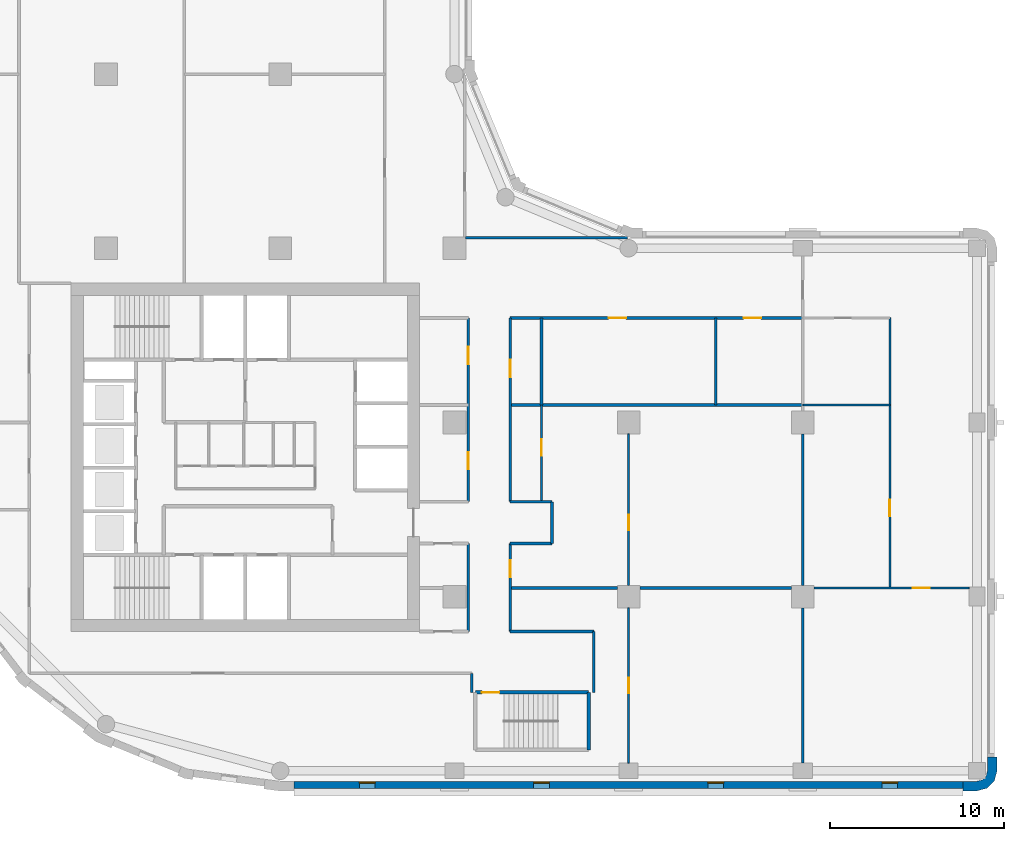
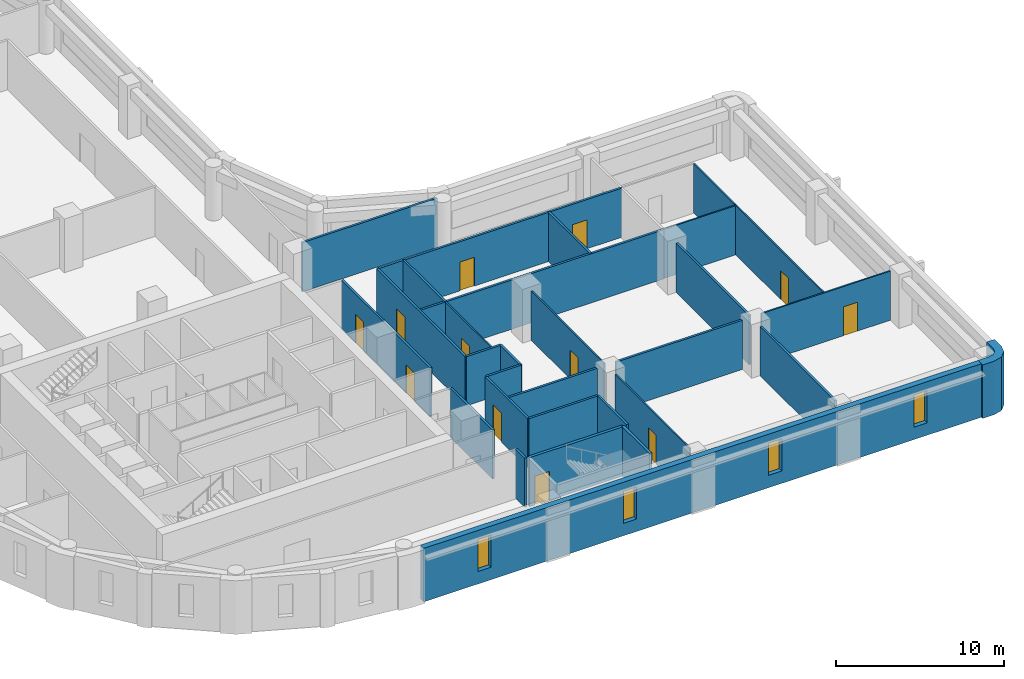
# One storey, part 4 of 10: 29 walls, 12 doors, 4 windows, 16 openings.
"""IFC4 building model written with IfcOpenShell, lengths in metres."""

from ifc_helpers import new_model, si_unit, direction, frame, frame_2d, origin, place, context, subcontext, project, spatial, polyline, rectangle, outline, extrude, material, layer, layer_set, type_object, element, fill, save


model = new_model("IFC4")

# Units and contexts
model_context = context("Model", 3, precision=1e-05, world=origin(), true_north=direction((0.0, 1.0)))
body_context = subcontext(model_context, "Body", "Model", "MODEL_VIEW")
ifc_project = project(units=[si_unit("LENGTHUNIT", "METRE"), si_unit("AREAUNIT", "SQUARE_METRE"), si_unit("VOLUMEUNIT", "CUBIC_METRE"), si_unit("PLANEANGLEUNIT", "RADIAN"), si_unit("MASSUNIT", "GRAM", prefix="KILO")], contexts=[model_context])

# Site, building, storey
site_placement = place(None, origin())
site = spatial("IfcSite", under=ifc_project, at=site_placement, CompositionType="ELEMENT")
building_placement = place(site_placement, origin())
building = spatial("IfcBuilding", under=site, at=building_placement, Name="Qaws Garden Tower", CompositionType="ELEMENT")
storey_placement = place(building_placement, frame((0.0, 0.0, 178.5)))
storey = spatial("IfcBuildingStorey", under=building, at=storey_placement, Name="L43", CompositionType="ELEMENT", Elevation=178.5)

# Wall
ifc_material_1 = material(Name="Clay facing brick masonry", Category="masonry")
ifc_layer_1 = layer(ifc_material_1, 0.550048828125)
ifc_layer_set_1 = layer_set([ifc_layer_1], Name="Clay facing brick masonry")
wall_type_1 = type_object("IfcWallType", Name="Brick corner pier 550 x 2400", PredefinedType="SOLIDWALL", material=ifc_layer_set_1)
wall_1_placement = place(storey_placement, origin())
element("IfcWall", 1, at=wall_1_placement, inside=storey, type_object=wall_type_1, Name="E-L43-pier-04", PredefinedType="SOLIDWALL", context=body_context, shape_type="SweptSolid", body=[
    extrude(outline(polyline([(59.199951171875, -1.0), (59.199951171875, -1.14990234375), (60.0, -1.14990234375), (60.574951171875, -0.995849609375), (60.995849609375, -0.574951171875), (61.14990234375, 0.0), (61.14990234375, 0.800048828125), (61.0, 0.800048828125), (60.60009765625, 0.800048828125), (60.60009765625, 0.0), (60.51953125, -0.300048828125), (60.300048828125, -0.51953125), (60.0, -0.60009765625), (59.199951171875, -0.60009765625), (59.199951171875, -1.0)])), origin(), (0.0, 0.0, 1.0), 3.89990234375),
])

# Wall, openings, windows
ifc_material_2 = material(Name="Clay facing brick masonry", Category="masonry")
ifc_layer_2 = layer(ifc_material_2, 0.39990234375)
ifc_layer_set_2 = layer_set([ifc_layer_2], Name="Clay facing brick masonry")
wall_type_2 = type_object("IfcWallType", Name="Brick infill wall 400", PredefinedType="SOLIDWALL", material=ifc_layer_set_2)
wall_2_placement = place(storey_placement, frame((20.800048828125, -0.800048828125, 0.0), z_axis=(0.0, 0.0, 1.0), x_axis=(1.0, 0.0, 0.0)))
wall_2 = element("IfcWall", 2, at=wall_2_placement, inside=storey, type_object=wall_type_2, Name="E-L43-infill-00", PredefinedType="SOLIDWALL", context=body_context, shape_type="SweptSolid", body=[
    extrude(rectangle(XDim=38.39990234375, YDim=0.39990234375, at=frame_2d((19.199951171875, 0.0))), origin(), (0.0, 0.0, 1.0), 3.89990234375),
])
opening_1_placement = place(wall_2_placement, frame((3.75, 0.0, 0.89990234375)))
opening_1 = element("IfcOpeningElement", 3, at=opening_1_placement, cuts=wall_2, Name="Opening W09", PredefinedType="OPENING", context=body_context, shape_type="SweptSolid", body=[
    extrude(rectangle(XDim=0.89990234375, YDim=2.35009765625, at=frame_2d((0.449951171875, 1.175048828125))), frame((0.0, 0.2099609375, 0.0), z_axis=(0.0, -1.0, 0.0), x_axis=(1.0, 0.0, 0.0)), (0.0, 0.0, 1.0), 0.419921875),
])
opening_2_placement = place(wall_2_placement, frame((13.75, 0.0, 0.89990234375)))
opening_2 = element("IfcOpeningElement", 4, at=opening_2_placement, cuts=wall_2, Name="Opening W09", PredefinedType="OPENING", context=body_context, shape_type="SweptSolid", body=[
    extrude(rectangle(XDim=0.89990234375, YDim=2.35009765625, at=frame_2d((0.449951171875, 1.175048828125))), frame((0.0, 0.2099609375, 0.0), z_axis=(0.0, -1.0, 0.0), x_axis=(1.0, 0.0, 0.0)), (0.0, 0.0, 1.0), 0.419921875),
])
opening_3_placement = place(wall_2_placement, frame((23.75, 0.0, 0.89990234375)))
opening_3 = element("IfcOpeningElement", 5, at=opening_3_placement, cuts=wall_2, Name="Opening W09", PredefinedType="OPENING", context=body_context, shape_type="SweptSolid", body=[
    extrude(rectangle(XDim=0.89990234375, YDim=2.35009765625, at=frame_2d((0.449951171875, 1.175048828125))), frame((0.0, 0.2099609375, 0.0), z_axis=(0.0, -1.0, 0.0), x_axis=(1.0, 0.0, 0.0)), (0.0, 0.0, 1.0), 0.419921875),
])
opening_4_placement = place(wall_2_placement, frame((33.75, 0.0, 0.89990234375)))
opening_4 = element("IfcOpeningElement", 6, at=opening_4_placement, cuts=wall_2, Name="Opening W09", PredefinedType="OPENING", context=body_context, shape_type="SweptSolid", body=[
    extrude(rectangle(XDim=0.89990234375, YDim=2.35009765625, at=frame_2d((0.449951171875, 1.175048828125))), frame((0.0, 0.2099609375, 0.0), z_axis=(0.0, -1.0, 0.0), x_axis=(1.0, 0.0, 0.0)), (0.0, 0.0, 1.0), 0.419921875),
])
ifc_material_3 = material(Name="Aluminium framed window, clear glazing", Category="aluminium")
window_type = type_object("IfcWindowType", Name="Slit window 900 x 2350", PartitioningType="SINGLE_PANEL", PredefinedType="WINDOW", material=ifc_material_3)
window_1_placement = place(opening_1_placement, origin())
window_1 = element("IfcWindow", 7, at=window_1_placement, inside=storey, type_object=window_type, Name="E-L43-window-00-0", OverallHeight=2.35009765625, OverallWidth=0.89990234375, PartitioningType="SINGLE_PANEL", PredefinedType="WINDOW", context=body_context, shape_type="SweptSolid", body=[
    extrude(rectangle(XDim=0.89990234375, YDim=2.35009765625, at=frame_2d((0.449951171875, 1.175048828125))), frame((0.0, 0.159912109375, 0.0), z_axis=(0.0, -1.0, 0.0), x_axis=(1.0, 0.0, 0.0)), (0.0, 0.0, 1.0), 0.06005859375),
])
fill(opening_1, window_1)
window_2_placement = place(opening_2_placement, origin())
window_2 = element("IfcWindow", 8, at=window_2_placement, inside=storey, type_object=window_type, Name="E-L43-window-01-0", OverallHeight=2.35009765625, OverallWidth=0.89990234375, PartitioningType="SINGLE_PANEL", PredefinedType="WINDOW", context=body_context, shape_type="SweptSolid", body=[
    extrude(rectangle(XDim=0.89990234375, YDim=2.35009765625, at=frame_2d((0.449951171875, 1.175048828125))), frame((0.0, 0.159912109375, 0.0), z_axis=(0.0, -1.0, 0.0), x_axis=(1.0, 0.0, 0.0)), (0.0, 0.0, 1.0), 0.06005859375),
])
fill(opening_2, window_2)
window_3_placement = place(opening_3_placement, origin())
window_3 = element("IfcWindow", 9, at=window_3_placement, inside=storey, type_object=window_type, Name="E-L43-window-02-0", OverallHeight=2.35009765625, OverallWidth=0.89990234375, PartitioningType="SINGLE_PANEL", PredefinedType="WINDOW", context=body_context, shape_type="SweptSolid", body=[
    extrude(rectangle(XDim=0.89990234375, YDim=2.35009765625, at=frame_2d((0.449951171875, 1.175048828125))), frame((0.0, 0.159912109375, 0.0), z_axis=(0.0, -1.0, 0.0), x_axis=(1.0, 0.0, 0.0)), (0.0, 0.0, 1.0), 0.06005859375),
])
fill(opening_3, window_3)
window_4_placement = place(opening_4_placement, origin())
window_4 = element("IfcWindow", 10, at=window_4_placement, inside=storey, type_object=window_type, Name="E-L43-window-03-0", OverallHeight=2.35009765625, OverallWidth=0.89990234375, PartitioningType="SINGLE_PANEL", PredefinedType="WINDOW", context=body_context, shape_type="SweptSolid", body=[
    extrude(rectangle(XDim=0.89990234375, YDim=2.35009765625, at=frame_2d((0.449951171875, 1.175048828125))), frame((0.0, 0.159912109375, 0.0), z_axis=(0.0, -1.0, 0.0), x_axis=(1.0, 0.0, 0.0)), (0.0, 0.0, 1.0), 0.06005859375),
])
fill(opening_4, window_4)

# Wall, opening, door
ifc_material_4 = material(Name="Concrete C70", Category="concrete")
ifc_layer_3 = layer(ifc_material_4, 0.199951171875)
ifc_layer_set_3 = layer_set([ifc_layer_3], Name="Concrete C70")
wall_type_3 = type_object("IfcWallType", Name="Core shaft wall 200 C70", PredefinedType="SHEAR", material=ifc_layer_set_3)
wall_3_placement = place(storey_placement, frame((31.199951171875, 4.5, 0.0), z_axis=(0.0, 0.0, 1.0), x_axis=(1.0, 0.0, 0.0)))
wall_3 = element("IfcWall", 11, at=wall_3_placement, inside=storey, type_object=wall_type_3, Name="Shaft wall", PredefinedType="SHEAR", context=body_context, shape_type="SweptSolid", body=[
    extrude(rectangle(XDim=6.5, YDim=0.199951171875, at=frame_2d((3.25, 0.0))), origin(), (0.0, 0.0, 1.0), 3.580078125),
])
opening_5_placement = place(wall_3_placement, frame((0.375, 0.0, 0.0)))
opening_5 = element("IfcOpeningElement", 12, at=opening_5_placement, cuts=wall_3, Name="Opening SD12", PredefinedType="OPENING", context=body_context, shape_type="SweptSolid", body=[
    extrude(rectangle(XDim=1.0, YDim=2.10009765625, at=frame_2d((0.5, 1.050048828125))), frame((0.0, 0.10986328125, 0.0), z_axis=(0.0, -1.0, 0.0), x_axis=(1.0, 0.0, 0.0)), (0.0, 0.0, 1.0), 0.219970703125),
])
ifc_material_5 = material(Name="Steel S235", Category="steel")
door_type_1 = type_object("IfcDoorType", Name="Stair door 1000x2100", OperationType="SINGLE_SWING_RIGHT", PredefinedType="DOOR", material=ifc_material_5)
door_1_placement = place(opening_5_placement, frame((1.0, 0.0, 0.0), z_axis=(0.0, 0.0, 1.0), x_axis=(-1.0, 0.0, 0.0)))
door_1 = element("IfcDoor", 13, at=door_1_placement, inside=storey, type_object=door_type_1, Name="Stair 5 door", OperationType="SINGLE_SWING_RIGHT", OverallHeight=2.10009765625, OverallWidth=1.0, PredefinedType="DOOR", context=body_context, shape_type="SweptSolid", body=[
    extrude(rectangle(XDim=1.0, YDim=2.10009765625, at=frame_2d((0.5, 1.050048828125))), frame((0.0, 0.02490234375, 0.0), z_axis=(0.0, -1.0, 0.0), x_axis=(1.0, 0.0, 0.0)), (0.0, 0.0, 1.0), 0.050048828125),
])
fill(opening_5, door_1)

# Wall
wall_4_placement = place(storey_placement, frame((37.699951171875, 1.199951171875, 0.0), z_axis=(0.0, 0.0, 1.0), x_axis=(0.0, 1.0, 0.0)))
element("IfcWall", 14, at=wall_4_placement, inside=storey, type_object=wall_type_3, Name="Shaft wall", PredefinedType="SHEAR", context=body_context, shape_type="SweptSolid", body=[
    extrude(rectangle(XDim=3.300048828125, YDim=0.199951171875, at=frame_2d((1.64990234375, 0.0))), origin(), (0.0, 0.0, 1.0), 3.580078125),
])

# Wall, opening, door
ifc_material_6 = material(Name="Gypsum board partition")
ifc_layer_4 = layer(ifc_material_6, 0.10009765625)
ifc_layer_set_4 = layer_set([ifc_layer_4], Name="Gypsum board partition")
wall_type_4 = type_object("IfcWallType", Name="PARTITION 100", PredefinedType="PARTITIONING", material=ifc_layer_set_4)
wall_5_placement = place(storey_placement, frame((35.0, 15.450927734375, 0.0), z_axis=(0.0, 0.0, 1.0), x_axis=(0.0, 1.0, 0.0)))
wall_5 = element("IfcWall", 15, at=wall_5_placement, inside=storey, type_object=wall_type_4, Name="O-L43-wall-001", PredefinedType="PARTITIONING", context=body_context, shape_type="SweptSolid", body=[
    extrude(rectangle(XDim=5.548095703125, YDim=0.10009765625, at=frame_2d((2.77392578125, 0.0))), origin(), (0.0, 0.0, 1.0), 3.580078125),
])
opening_6_placement = place(wall_5_placement, frame((2.625, 0.0, 0.0)))
opening_6 = element("IfcOpeningElement", 16, at=opening_6_placement, cuts=wall_5, Name="Opening B525", PredefinedType="OPENING", context=body_context, shape_type="SweptSolid", body=[
    extrude(rectangle(XDim=0.949951171875, YDim=2.10009765625, at=frame_2d((0.47509765625, 1.050048828125))), frame((0.0, 0.06005859375, 0.0), z_axis=(0.0, -1.0, 0.0), x_axis=(1.0, 0.0, 0.0)), (0.0, 0.0, 1.0), 0.1201171875),
])
ifc_material_7 = material(Name="Timber and glass door leaf", Category="wood")
door_type_2 = type_object("IfcDoorType", Name="GLAZED DOOR 950 X 2100", OperationType="SINGLE_SWING_LEFT", PredefinedType="DOOR", material=ifc_material_7)
door_2_placement = place(opening_6_placement, origin())
door_2 = element("IfcDoor", 17, at=door_2_placement, inside=storey, type_object=door_type_2, Name="O-L43-door-025", OperationType="SINGLE_SWING_RIGHT", OverallHeight=2.10009765625, OverallWidth=0.949951171875, PredefinedType="DOOR", context=body_context, shape_type="SweptSolid", body=[
    extrude(rectangle(XDim=0.949951171875, YDim=2.10009765625, at=frame_2d((0.47509765625, 1.050048828125))), frame((0.0, 0.02490234375, 0.0), z_axis=(0.0, -1.0, 0.0), x_axis=(1.0, 0.0, 0.0)), (0.0, 0.0, 1.0), 0.050048828125),
])
fill(opening_6, door_2)

wall_6_placement = place(storey_placement, frame((40.0, 0.449951171875, 0.0), z_axis=(0.0, 0.0, 1.0), x_axis=(0.0, 1.0, 0.0)))
wall_6 = element("IfcWall", 18, at=wall_6_placement, inside=storey, type_object=wall_type_4, Name="O-L43-wall-002", PredefinedType="PARTITIONING", context=body_context, shape_type="SweptSolid", body=[
    extrude(rectangle(XDim=8.900146484375, YDim=0.10009765625, at=frame_2d((4.4501953125, 0.0))), origin(), (0.0, 0.0, 1.0), 3.580078125),
])
opening_7_placement = place(wall_6_placement, frame((4.0, 0.0, 0.0)))
opening_7 = element("IfcOpeningElement", 19, at=opening_7_placement, cuts=wall_6, Name="Opening B522", PredefinedType="OPENING", context=body_context, shape_type="SweptSolid", body=[
    extrude(rectangle(XDim=0.89990234375, YDim=2.10009765625, at=frame_2d((0.449951171875, 1.050048828125))), frame((0.0, 0.06005859375, 0.0), z_axis=(0.0, -1.0, 0.0), x_axis=(1.0, 0.0, 0.0)), (0.0, 0.0, 1.0), 0.1201171875),
])
ifc_material_8 = material(Name="Timber door leaf", Category="wood")
door_type_3 = type_object("IfcDoorType", Name="OFFICE DOOR 900 X 2100", OperationType="SINGLE_SWING_LEFT", PredefinedType="DOOR", material=ifc_material_8)
door_3_placement = place(opening_7_placement, frame((0.89990234375, 0.0, 0.0), z_axis=(0.0, 0.0, 1.0), x_axis=(-1.0, 0.0, 0.0)))
door_3 = element("IfcDoor", 20, at=door_3_placement, inside=storey, type_object=door_type_3, Name="O-L43-door-022", OperationType="SINGLE_SWING_LEFT", OverallHeight=2.10009765625, OverallWidth=0.89990234375, PredefinedType="DOOR", context=body_context, shape_type="SweptSolid", body=[
    extrude(rectangle(XDim=0.89990234375, YDim=2.10009765625, at=frame_2d((0.449951171875, 1.050048828125))), frame((0.0, 0.02490234375, 0.0), z_axis=(0.0, -1.0, 0.0), x_axis=(1.0, 0.0, 0.0)), (0.0, 0.0, 1.0), 0.050048828125),
])
fill(opening_7, door_3)

wall_7_placement = place(storey_placement, frame((40.0, 10.64990234375, 0.0), z_axis=(0.0, 0.0, 1.0), x_axis=(0.0, 1.0, 0.0)))
wall_7 = element("IfcWall", 21, at=wall_7_placement, inside=storey, type_object=wall_type_4, Name="O-L43-wall-003", PredefinedType="PARTITIONING", context=body_context, shape_type="SweptSolid", body=[
    extrude(rectangle(XDim=8.7001953125, YDim=0.10009765625, at=frame_2d((4.35009765625, 0.0))), origin(), (0.0, 0.0, 1.0), 3.580078125),
])
opening_8_placement = place(wall_7_placement, frame((3.14990234375, 0.0, 0.0)))
opening_8 = element("IfcOpeningElement", 22, at=opening_8_placement, cuts=wall_7, Name="Opening B520", PredefinedType="OPENING", context=body_context, shape_type="SweptSolid", body=[
    extrude(rectangle(XDim=0.89990234375, YDim=2.10009765625, at=frame_2d((0.449951171875, 1.050048828125))), frame((0.0, 0.06005859375, 0.0), z_axis=(0.0, -1.0, 0.0), x_axis=(1.0, 0.0, 0.0)), (0.0, 0.0, 1.0), 0.1201171875),
])
door_4_placement = place(opening_8_placement, origin())
door_4 = element("IfcDoor", 23, at=door_4_placement, inside=storey, type_object=door_type_3, Name="O-L43-door-020", OperationType="SINGLE_SWING_RIGHT", OverallHeight=2.10009765625, OverallWidth=0.89990234375, PredefinedType="DOOR", context=body_context, shape_type="SweptSolid", body=[
    extrude(rectangle(XDim=0.89990234375, YDim=2.10009765625, at=frame_2d((0.449951171875, 1.050048828125))), frame((0.0, 0.02490234375, 0.0), z_axis=(0.0, -1.0, 0.0), x_axis=(1.0, 0.0, 0.0)), (0.0, 0.0, 1.0), 0.050048828125),
])
fill(opening_8, door_4)

wall_8_placement = place(storey_placement, frame((55.0, 10.5, 0.0), z_axis=(0.0, 0.0, 1.0), x_axis=(0.0, 1.0, 0.0)))
wall_8 = element("IfcWall", 24, at=wall_8_placement, inside=storey, type_object=wall_type_4, Name="O-L43-wall-004", PredefinedType="PARTITIONING", context=body_context, shape_type="SweptSolid", body=[
    extrude(rectangle(XDim=15.5, YDim=0.10009765625, at=frame_2d((7.75, 0.0))), origin(), (0.0, 0.0, 1.0), 3.580078125),
])
opening_9_placement = place(wall_8_placement, frame((4.125, 0.0, 0.0)))
opening_9 = element("IfcOpeningElement", 25, at=opening_9_placement, cuts=wall_8, Name="Opening B521", PredefinedType="OPENING", context=body_context, shape_type="SweptSolid", body=[
    extrude(rectangle(XDim=0.949951171875, YDim=2.10009765625, at=frame_2d((0.47509765625, 1.050048828125))), frame((0.0, 0.06005859375, 0.0), z_axis=(0.0, -1.0, 0.0), x_axis=(1.0, 0.0, 0.0)), (0.0, 0.0, 1.0), 0.1201171875),
])
door_5_placement = place(opening_9_placement, origin())
door_5 = element("IfcDoor", 26, at=door_5_placement, inside=storey, type_object=door_type_2, Name="O-L43-door-021", OperationType="SINGLE_SWING_RIGHT", OverallHeight=2.10009765625, OverallWidth=0.949951171875, PredefinedType="DOOR", context=body_context, shape_type="SweptSolid", body=[
    extrude(rectangle(XDim=0.949951171875, YDim=2.10009765625, at=frame_2d((0.47509765625, 1.050048828125))), frame((0.0, 0.02490234375, 0.0), z_axis=(0.0, -1.0, 0.0), x_axis=(1.0, 0.0, 0.0)), (0.0, 0.0, 1.0), 0.050048828125),
])
fill(opening_9, door_5)

wall_9_placement = place(storey_placement, frame((50.64990234375, 10.5, 0.0), z_axis=(0.0, 0.0, 1.0), x_axis=(1.0, 0.0, 0.0)))
wall_9 = element("IfcWall", 27, at=wall_9_placement, inside=storey, type_object=wall_type_4, Name="O-L43-wall-005", PredefinedType="PARTITIONING", context=body_context, shape_type="SweptSolid", body=[
    extrude(rectangle(XDim=8.900146484375, YDim=0.10009765625, at=frame_2d((4.4501953125, 0.0))), origin(), (0.0, 0.0, 1.0), 3.580078125),
])
opening_10_placement = place(wall_9_placement, frame((5.675048828125, 0.0, 0.0)))
opening_10 = element("IfcOpeningElement", 28, at=opening_10_placement, cuts=wall_9, Name="Opening B523", PredefinedType="OPENING", context=body_context, shape_type="SweptSolid", body=[
    extrude(rectangle(XDim=0.949951171875, YDim=2.10009765625, at=frame_2d((0.47509765625, 1.050048828125))), frame((0.0, 0.06005859375, 0.0), z_axis=(0.0, -1.0, 0.0), x_axis=(1.0, 0.0, 0.0)), (0.0, 0.0, 1.0), 0.1201171875),
])
door_6_placement = place(opening_10_placement, frame((0.949951171875, 0.0, 0.0), z_axis=(0.0, 0.0, 1.0), x_axis=(-1.0, 0.0, 0.0)))
door_6 = element("IfcDoor", 29, at=door_6_placement, inside=storey, type_object=door_type_2, Name="O-L43-door-023", OperationType="SINGLE_SWING_RIGHT", OverallHeight=2.10009765625, OverallWidth=0.949951171875, PredefinedType="DOOR", context=body_context, shape_type="SweptSolid", body=[
    extrude(rectangle(XDim=0.949951171875, YDim=2.10009765625, at=frame_2d((0.47509765625, 1.050048828125))), frame((0.0, 0.02490234375, 0.0), z_axis=(0.0, -1.0, 0.0), x_axis=(1.0, 0.0, 0.0)), (0.0, 0.0, 1.0), 0.050048828125),
])
fill(opening_10, door_6)

# Walls
wall_10_placement = place(storey_placement, frame((50.0, 21.0, 0.0), z_axis=(0.0, 0.0, 1.0), x_axis=(1.0, 0.0, 0.0)))
element("IfcWall", 30, at=wall_10_placement, inside=storey, type_object=wall_type_4, Name="O-L43-wall-006", PredefinedType="PARTITIONING", context=body_context, shape_type="SweptSolid", body=[
    extrude(rectangle(XDim=5.0, YDim=0.10009765625, at=frame_2d((2.5, 0.0))), origin(), (0.0, 0.0, 1.0), 3.580078125),
])
ifc_material_9 = material(Name="Gypsum board partition")
ifc_layer_5 = layer(ifc_material_9, 0.14990234375)
ifc_layer_set_5 = layer_set([ifc_layer_5], Name="Gypsum board partition")
wall_type_5 = type_object("IfcWallType", Name="PARTITION 150 EI 60", PredefinedType="PARTITIONING", material=ifc_layer_set_5)
wall_11_placement = place(storey_placement, frame((30.800048828125, 8.0, 0.0), z_axis=(0.0, 0.0, 1.0), x_axis=(0.0, 1.0, 0.0)))
element("IfcWall", 31, at=wall_11_placement, inside=storey, type_object=wall_type_5, Name="O-L43-wall-016", PredefinedType="PARTITIONING", context=body_context, shape_type="SweptSolid", body=[
    extrude(rectangle(XDim=5.050048828125, YDim=0.14990234375, at=frame_2d((2.52490234375, 0.0))), origin(), (0.0, 0.0, 1.0), 3.580078125),
])

# Wall, openings, doors
wall_12_placement = place(storey_placement, frame((30.800048828125, 15.449951171875, 0.0), z_axis=(0.0, 0.0, 1.0), x_axis=(0.0, 1.0, 0.0)))
wall_12 = element("IfcWall", 32, at=wall_12_placement, inside=storey, type_object=wall_type_5, Name="O-L43-wall-017", PredefinedType="PARTITIONING", context=body_context, shape_type="SweptSolid", body=[
    extrude(rectangle(XDim=10.550048828125, YDim=0.14990234375, at=frame_2d((5.27490234375, 0.0))), origin(), (0.0, 0.0, 1.0), 3.580078125),
])
opening_11_placement = place(wall_12_placement, frame((1.85009765625, 0.0, 0.0)))
opening_11 = element("IfcOpeningElement", 33, at=opening_11_placement, cuts=wall_12, Name="Opening B503", PredefinedType="OPENING", context=body_context, shape_type="SweptSolid", body=[
    extrude(rectangle(XDim=1.0, YDim=2.10009765625, at=frame_2d((0.5, 1.050048828125))), frame((0.0, 0.0849609375, 0.0), z_axis=(0.0, -1.0, 0.0), x_axis=(1.0, 0.0, 0.0)), (0.0, 0.0, 1.0), 0.169921875),
])
opening_12_placement = place(wall_12_placement, frame((7.89990234375, 0.0, 0.0)))
opening_12 = element("IfcOpeningElement", 34, at=opening_12_placement, cuts=wall_12, Name="Opening B515", PredefinedType="OPENING", context=body_context, shape_type="SweptSolid", body=[
    extrude(rectangle(XDim=1.0, YDim=2.10009765625, at=frame_2d((0.5, 1.050048828125))), frame((0.0, 0.0849609375, 0.0), z_axis=(0.0, -1.0, 0.0), x_axis=(1.0, 0.0, 0.0)), (0.0, 0.0, 1.0), 0.169921875),
])
ifc_material_10 = material(Name="Timber door leaf", Category="wood")
door_type_4 = type_object("IfcDoorType", Name="TENANCY ENTRANCE DOOR 1000 X 2100", OperationType="SINGLE_SWING_LEFT", PredefinedType="DOOR", material=ifc_material_10)
door_7_placement = place(opening_11_placement, origin())
door_7 = element("IfcDoor", 35, at=door_7_placement, inside=storey, type_object=door_type_4, Name="O-L43-door-003", OperationType="SINGLE_SWING_RIGHT", OverallHeight=2.10009765625, OverallWidth=1.0, PredefinedType="DOOR", context=body_context, shape_type="SweptSolid", body=[
    extrude(rectangle(XDim=1.0, YDim=2.10009765625, at=frame_2d((0.5, 1.050048828125))), frame((0.0, 0.02490234375, 0.0), z_axis=(0.0, -1.0, 0.0), x_axis=(1.0, 0.0, 0.0)), (0.0, 0.0, 1.0), 0.050048828125),
])
fill(opening_11, door_7)
door_8_placement = place(opening_12_placement, origin())
door_8 = element("IfcDoor", 36, at=door_8_placement, inside=storey, type_object=door_type_4, Name="O-L43-door-015", OperationType="SINGLE_SWING_RIGHT", OverallHeight=2.10009765625, OverallWidth=1.0, PredefinedType="DOOR", context=body_context, shape_type="SweptSolid", body=[
    extrude(rectangle(XDim=1.0, YDim=2.10009765625, at=frame_2d((0.5, 1.050048828125))), frame((0.0, 0.02490234375, 0.0), z_axis=(0.0, -1.0, 0.0), x_axis=(1.0, 0.0, 0.0)), (0.0, 0.0, 1.0), 0.050048828125),
])
fill(opening_12, door_8)

# Wall
wall_13_placement = place(storey_placement, frame((31.0, 4.5, 0.0), z_axis=(0.0, 0.0, 1.0), x_axis=(0.0, 1.0, 0.0)))
element("IfcWall", 37, at=wall_13_placement, inside=storey, type_object=wall_type_5, Name="O-L43-wall-018", PredefinedType="PARTITIONING", context=body_context, shape_type="SweptSolid", body=[
    extrude(rectangle(XDim=1.10009765625, YDim=0.14990234375, at=frame_2d((0.550048828125, 0.0))), origin(), (0.0, 0.0, 1.0), 3.580078125),
])

# Wall, opening, door
wall_14_placement = place(storey_placement, frame((33.199951171875, 8.0, 0.0), z_axis=(0.0, 0.0, 1.0), x_axis=(0.0, 1.0, 0.0)))
wall_14 = element("IfcWall", 38, at=wall_14_placement, inside=storey, type_object=wall_type_5, Name="O-L43-wall-019", PredefinedType="PARTITIONING", context=body_context, shape_type="SweptSolid", body=[
    extrude(rectangle(XDim=5.049072265625, YDim=0.14990234375, at=frame_2d((2.5244140625, 0.0))), origin(), (0.0, 0.0, 1.0), 3.580078125),
])
opening_13_placement = place(wall_14_placement, frame((3.10009765625, 0.0, 0.0)))
opening_13 = element("IfcOpeningElement", 39, at=opening_13_placement, cuts=wall_14, Name="Opening B504", PredefinedType="OPENING", context=body_context, shape_type="SweptSolid", body=[
    extrude(rectangle(XDim=1.0, YDim=2.10009765625, at=frame_2d((0.5, 1.050048828125))), frame((0.0, 0.0849609375, 0.0), z_axis=(0.0, -1.0, 0.0), x_axis=(1.0, 0.0, 0.0)), (0.0, 0.0, 1.0), 0.169921875),
])
door_9_placement = place(opening_13_placement, frame((1.0, 0.0, 0.0), z_axis=(0.0, 0.0, 1.0), x_axis=(-1.0, 0.0, 0.0)))
door_9 = element("IfcDoor", 40, at=door_9_placement, inside=storey, type_object=door_type_4, Name="O-L43-door-004", OperationType="SINGLE_SWING_RIGHT", OverallHeight=2.10009765625, OverallWidth=1.0, PredefinedType="DOOR", context=body_context, shape_type="SweptSolid", body=[
    extrude(rectangle(XDim=1.0, YDim=2.10009765625, at=frame_2d((0.5, 1.050048828125))), frame((0.0, 0.02490234375, 0.0), z_axis=(0.0, -1.0, 0.0), x_axis=(1.0, 0.0, 0.0)), (0.0, 0.0, 1.0), 0.050048828125),
])
fill(opening_13, door_9)

wall_15_placement = place(storey_placement, frame((33.199951171875, 15.449951171875, 0.0), z_axis=(0.0, 0.0, 1.0), x_axis=(0.0, 1.0, 0.0)))
wall_15 = element("IfcWall", 41, at=wall_15_placement, inside=storey, type_object=wall_type_5, Name="O-L43-wall-020", PredefinedType="PARTITIONING", context=body_context, shape_type="SweptSolid", body=[
    extrude(rectangle(XDim=10.550048828125, YDim=0.14990234375, at=frame_2d((5.27490234375, 0.0))), origin(), (0.0, 0.0, 1.0), 3.580078125),
])
opening_14_placement = place(wall_15_placement, frame((7.14990234375, 0.0, 0.0)))
opening_14 = element("IfcOpeningElement", 42, at=opening_14_placement, cuts=wall_15, Name="Opening B516", PredefinedType="OPENING", context=body_context, shape_type="SweptSolid", body=[
    extrude(rectangle(XDim=1.0, YDim=2.10009765625, at=frame_2d((0.5, 1.050048828125))), frame((0.0, 0.0849609375, 0.0), z_axis=(0.0, -1.0, 0.0), x_axis=(1.0, 0.0, 0.0)), (0.0, 0.0, 1.0), 0.169921875),
])
door_10_placement = place(opening_14_placement, frame((1.0, 0.0, 0.0), z_axis=(0.0, 0.0, 1.0), x_axis=(-1.0, 0.0, 0.0)))
door_10 = element("IfcDoor", 43, at=door_10_placement, inside=storey, type_object=door_type_4, Name="O-L43-door-016", OperationType="SINGLE_SWING_LEFT", OverallHeight=2.10009765625, OverallWidth=1.0, PredefinedType="DOOR", context=body_context, shape_type="SweptSolid", body=[
    extrude(rectangle(XDim=1.0, YDim=2.10009765625, at=frame_2d((0.5, 1.050048828125))), frame((0.0, 0.02490234375, 0.0), z_axis=(0.0, -1.0, 0.0), x_axis=(1.0, 0.0, 0.0)), (0.0, 0.0, 1.0), 0.050048828125),
])
fill(opening_14, door_10)

# Walls
wall_16_placement = place(storey_placement, frame((35.0, 21.0, 0.0), z_axis=(0.0, 0.0, 1.0), x_axis=(0.0, 1.0, 0.0)))
element("IfcWall", 44, at=wall_16_placement, inside=storey, type_object=wall_type_5, Name="O-L43-wall-021", PredefinedType="PARTITIONING", context=body_context, shape_type="SweptSolid", body=[
    extrude(rectangle(XDim=5.0, YDim=0.14990234375, at=frame_2d((2.5, 0.0))), origin(), (0.0, 0.0, 1.0), 3.580078125),
])
wall_17_placement = place(storey_placement, frame((35.60009765625, 13.052001953125, 0.0), z_axis=(0.0, 0.0, 1.0), x_axis=(0.0, 1.0, 0.0)))
element("IfcWall", 45, at=wall_17_placement, inside=storey, type_object=wall_type_5, Name="O-L43-wall-022", PredefinedType="PARTITIONING", context=body_context, shape_type="SweptSolid", body=[
    extrude(rectangle(XDim=2.39599609375, YDim=0.14990234375, at=frame_2d((1.197998046875, 0.0))), origin(), (0.0, 0.0, 1.0), 3.580078125),
])
wall_18_placement = place(storey_placement, frame((38.0, 4.5, 0.0), z_axis=(0.0, 0.0, 1.0), x_axis=(0.0, 1.0, 0.0)))
element("IfcWall", 46, at=wall_18_placement, inside=storey, type_object=wall_type_5, Name="O-L43-wall-023", PredefinedType="PARTITIONING", context=body_context, shape_type="SweptSolid", body=[
    extrude(rectangle(XDim=3.5, YDim=0.14990234375, at=frame_2d((1.75, 0.0))), origin(), (0.0, 0.0, 1.0), 3.580078125),
])
wall_19_placement = place(storey_placement, frame((45.0, 21.0, 0.0), z_axis=(0.0, 0.0, 1.0), x_axis=(0.0, 1.0, 0.0)))
element("IfcWall", 47, at=wall_19_placement, inside=storey, type_object=wall_type_5, Name="O-L43-wall-024", PredefinedType="PARTITIONING", context=body_context, shape_type="SweptSolid", body=[
    extrude(rectangle(XDim=5.0, YDim=0.14990234375, at=frame_2d((2.5, 0.0))), origin(), (0.0, 0.0, 1.0), 3.580078125),
])
wall_20_placement = place(storey_placement, frame((50.0, 0.449951171875, 0.0), z_axis=(0.0, 0.0, 1.0), x_axis=(0.0, 1.0, 0.0)))
element("IfcWall", 48, at=wall_20_placement, inside=storey, type_object=wall_type_5, Name="O-L43-wall-025", PredefinedType="PARTITIONING", context=body_context, shape_type="SweptSolid", body=[
    extrude(rectangle(XDim=8.900146484375, YDim=0.14990234375, at=frame_2d((4.4501953125, 0.0))), origin(), (0.0, 0.0, 1.0), 3.580078125),
])
wall_21_placement = place(storey_placement, frame((50.0, 10.64990234375, 0.0), z_axis=(0.0, 0.0, 1.0), x_axis=(0.0, 1.0, 0.0)))
element("IfcWall", 49, at=wall_21_placement, inside=storey, type_object=wall_type_5, Name="O-L43-wall-026", PredefinedType="PARTITIONING", context=body_context, shape_type="SweptSolid", body=[
    extrude(rectangle(XDim=8.7001953125, YDim=0.14990234375, at=frame_2d((4.35009765625, 0.0))), origin(), (0.0, 0.0, 1.0), 3.580078125),
])
wall_22_placement = place(storey_placement, frame((33.199951171875, 8.0, 0.0), z_axis=(0.0, 0.0, 1.0), x_axis=(1.0, 0.0, 0.0)))
element("IfcWall", 50, at=wall_22_placement, inside=storey, type_object=wall_type_5, Name="O-L43-wall-030", PredefinedType="PARTITIONING", context=body_context, shape_type="SweptSolid", body=[
    extrude(rectangle(XDim=4.800048828125, YDim=0.14990234375, at=frame_2d((2.39990234375, 0.0))), origin(), (0.0, 0.0, 1.0), 3.580078125),
])
wall_23_placement = place(storey_placement, frame((33.200927734375, 10.5, 0.0), z_axis=(0.0, 0.0, 1.0), x_axis=(1.0, 0.0, 0.0)))
element("IfcWall", 51, at=wall_23_placement, inside=storey, type_object=wall_type_5, Name="O-L43-wall-032", PredefinedType="PARTITIONING", context=body_context, shape_type="SweptSolid", body=[
    extrude(rectangle(XDim=6.149169921875, YDim=0.14990234375, at=frame_2d((3.07470703125, 0.0))), origin(), (0.0, 0.0, 1.0), 3.580078125),
])
wall_24_placement = place(storey_placement, frame((40.64990234375, 10.5, 0.0), z_axis=(0.0, 0.0, 1.0), x_axis=(1.0, 0.0, 0.0)))
element("IfcWall", 52, at=wall_24_placement, inside=storey, type_object=wall_type_5, Name="O-L43-wall-033", PredefinedType="PARTITIONING", context=body_context, shape_type="SweptSolid", body=[
    extrude(rectangle(XDim=8.7001953125, YDim=0.14990234375, at=frame_2d((4.35009765625, 0.0))), origin(), (0.0, 0.0, 1.0), 3.580078125),
])
wall_25_placement = place(storey_placement, frame((33.200927734375, 13.050048828125, 0.0), z_axis=(0.0, 0.0, 1.0), x_axis=(1.0, 0.0, 0.0)))
element("IfcWall", 53, at=wall_25_placement, inside=storey, type_object=wall_type_5, Name="O-L43-wall-035", PredefinedType="PARTITIONING", context=body_context, shape_type="SweptSolid", body=[
    extrude(rectangle(XDim=2.39697265625, YDim=0.14990234375, at=frame_2d((1.198486328125, 0.0))), origin(), (0.0, 0.0, 1.0), 3.580078125),
])
wall_26_placement = place(storey_placement, frame((33.199951171875, 15.449951171875, 0.0), z_axis=(0.0, 0.0, 1.0), x_axis=(1.0, 0.0, 0.0)))
element("IfcWall", 54, at=wall_26_placement, inside=storey, type_object=wall_type_5, Name="O-L43-wall-038", PredefinedType="PARTITIONING", context=body_context, shape_type="SweptSolid", body=[
    extrude(rectangle(XDim=2.39794921875, YDim=0.14990234375, at=frame_2d((1.198974609375, 0.0))), origin(), (0.0, 0.0, 1.0), 3.580078125),
])
wall_27_placement = place(storey_placement, frame((33.199951171875, 21.0, 0.0), z_axis=(0.0, 0.0, 1.0), x_axis=(1.0, 0.0, 0.0)))
element("IfcWall", 55, at=wall_27_placement, inside=storey, type_object=wall_type_5, Name="O-L43-wall-041", PredefinedType="PARTITIONING", context=body_context, shape_type="SweptSolid", body=[
    extrude(rectangle(XDim=16.800048828125, YDim=0.14990234375, at=frame_2d((8.39990234375, 0.0))), origin(), (0.0, 0.0, 1.0), 3.580078125),
])

# Wall, openings, doors
wall_28_placement = place(storey_placement, frame((33.199951171875, 26.0, 0.0), z_axis=(0.0, 0.0, 1.0), x_axis=(1.0, 0.0, 0.0)))
wall_28 = element("IfcWall", 56, at=wall_28_placement, inside=storey, type_object=wall_type_5, Name="O-L43-wall-043", PredefinedType="PARTITIONING", context=body_context, shape_type="SweptSolid", body=[
    extrude(rectangle(XDim=16.800048828125, YDim=0.14990234375, at=frame_2d((8.39990234375, 0.0))), origin(), (0.0, 0.0, 1.0), 3.580078125),
])
opening_15_placement = place(wall_28_placement, frame((5.64990234375, 0.0, 0.0)))
opening_15 = element("IfcOpeningElement", 57, at=opening_15_placement, cuts=wall_28, Name="Opening B517", PredefinedType="OPENING", context=body_context, shape_type="SweptSolid", body=[
    extrude(rectangle(XDim=1.0, YDim=2.10009765625, at=frame_2d((0.5, 1.050048828125))), frame((0.0, 0.0849609375, 0.0), z_axis=(0.0, -1.0, 0.0), x_axis=(1.0, 0.0, 0.0)), (0.0, 0.0, 1.0), 0.169921875),
])
opening_16_placement = place(wall_28_placement, frame((13.39990234375, 0.0, 0.0)))
opening_16 = element("IfcOpeningElement", 58, at=opening_16_placement, cuts=wall_28, Name="Opening B518", PredefinedType="OPENING", context=body_context, shape_type="SweptSolid", body=[
    extrude(rectangle(XDim=1.0, YDim=2.10009765625, at=frame_2d((0.5, 1.050048828125))), frame((0.0, 0.0849609375, 0.0), z_axis=(0.0, -1.0, 0.0), x_axis=(1.0, 0.0, 0.0)), (0.0, 0.0, 1.0), 0.169921875),
])
door_11_placement = place(opening_15_placement, frame((1.0, 0.0, 0.0), z_axis=(0.0, 0.0, 1.0), x_axis=(-1.0, 0.0, 0.0)))
door_11 = element("IfcDoor", 59, at=door_11_placement, inside=storey, type_object=door_type_4, Name="O-L43-door-017", OperationType="SINGLE_SWING_RIGHT", OverallHeight=2.10009765625, OverallWidth=1.0, PredefinedType="DOOR", context=body_context, shape_type="SweptSolid", body=[
    extrude(rectangle(XDim=1.0, YDim=2.10009765625, at=frame_2d((0.5, 1.050048828125))), frame((0.0, 0.02490234375, 0.0), z_axis=(0.0, -1.0, 0.0), x_axis=(1.0, 0.0, 0.0)), (0.0, 0.0, 1.0), 0.050048828125),
])
fill(opening_15, door_11)
door_12_placement = place(opening_16_placement, frame((1.0, 0.0, 0.0), z_axis=(0.0, 0.0, 1.0), x_axis=(-1.0, 0.0, 0.0)))
door_12 = element("IfcDoor", 60, at=door_12_placement, inside=storey, type_object=door_type_4, Name="O-L43-door-018", OperationType="SINGLE_SWING_RIGHT", OverallHeight=2.10009765625, OverallWidth=1.0, PredefinedType="DOOR", context=body_context, shape_type="SweptSolid", body=[
    extrude(rectangle(XDim=1.0, YDim=2.10009765625, at=frame_2d((0.5, 1.050048828125))), frame((0.0, 0.02490234375, 0.0), z_axis=(0.0, -1.0, 0.0), x_axis=(1.0, 0.0, 0.0)), (0.0, 0.0, 1.0), 0.050048828125),
])
fill(opening_16, door_12)

# Wall
wall_29_placement = place(storey_placement, frame((30.64990234375, 30.60009765625, 0.0), z_axis=(0.0, 0.0, 1.0), x_axis=(1.0, 0.0, 0.0)))
element("IfcWall", 61, at=wall_29_placement, inside=storey, type_object=wall_type_5, Name="O-L43-wall-045", PredefinedType="PARTITIONING", context=body_context, shape_type="SweptSolid", body=[
    extrude(rectangle(XDim=9.288330078125, YDim=0.14990234375, at=frame_2d((4.64404296875, 0.0))), origin(), (0.0, 0.0, 1.0), 3.580078125),
])

save(model, "model.ifc")
